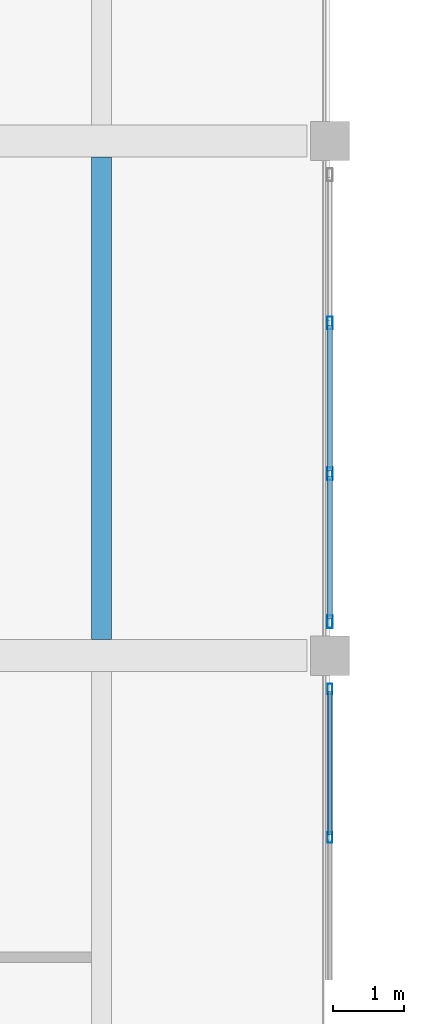
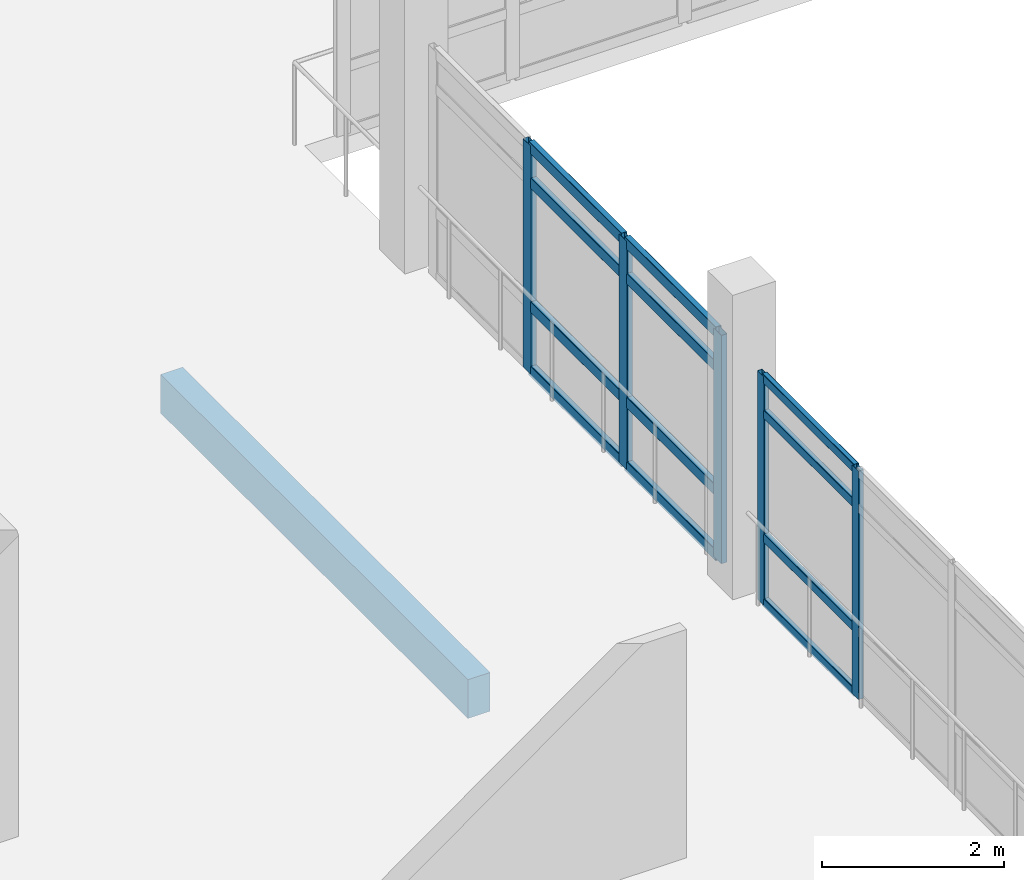
# One storey, part 11 of 72: 17 members, 1 beam, 2 elements without a shape of their own.
"""IFC4 building model written with IfcOpenShell, lengths in metres."""

from ifc_helpers import new_model, si_unit, direction, frame, origin, origin_2d, place, context, subcontext, project, spatial, rectangle, hollow_rectangle, extrude, material, layer, layer_set, material_profile, profile_set, type_object, element, aggregate, save


model = new_model("IFC4")

# Units and contexts
model_context = context("Model", 3, precision=1e-05, world=origin(), true_north=direction((0.0, 1.0)))
body_context = subcontext(model_context, "Body", "Model", "MODEL_VIEW")
ifc_project = project(units=[si_unit("LENGTHUNIT", "METRE"), si_unit("AREAUNIT", "SQUARE_METRE"), si_unit("VOLUMEUNIT", "CUBIC_METRE"), si_unit("PLANEANGLEUNIT", "RADIAN"), si_unit("MASSUNIT", "GRAM", prefix="KILO")], contexts=[model_context])

# Site, building, storey
site_placement = place(None, origin())
site = spatial("IfcSite", under=ifc_project, at=site_placement, CompositionType="ELEMENT")
building_placement = place(site_placement, origin())
building = spatial("IfcBuilding", under=site, at=building_placement, Name="Asteropetra Specialist Clinic", CompositionType="ELEMENT")
storey_placement = place(building_placement, frame((0.0, 0.0, 12.580078125)))
storey = spatial("IfcBuildingStorey", under=building, at=storey_placement, Name="L03", CompositionType="ELEMENT", Elevation=12.580078125)

# Curtain wall, members
ifc_material_1 = material(Name="Aluminium and low-E glass", Category="aluminium")
ifc_layer_1 = layer(ifc_material_1, 0.179931640625)
ifc_layer_set_1 = layer_set([ifc_layer_1], Name="Aluminium and low-E glass")
curtain_wall_type_1 = type_object("IfcCurtainWallType", Name="CW-SYS-10", PredefinedType="USERDEFINED", material=ifc_layer_set_1)
curtain_wall_1_placement = place(storey_placement, origin())
curtain_wall_1 = element("IfcCurtainWall", 1, at=curtain_wall_1_placement, inside=storey, type_object=curtain_wall_type_1, Name="Curtain Wall CW-085", ObjectType="STICK GLAZED COLONNADE", PredefinedType="USERDEFINED")
ifc_material_2 = material(Name="Aluminium 6063-T6", Category="aluminium")
ifc_material_profile_1 = material_profile(ifc_material_2, hollow_rectangle(XDim=0.06494140625, YDim=0.14990234375, WallThickness=0.00390625, InnerFilletRadius=0.00390625, OuterFilletRadius=0.008056640625, at=origin_2d()), Name="MUL 150x65x4.0")
ifc_profile_set_1 = profile_set([ifc_material_profile_1], Name="Aluminium 6063-T6")
member_type_1 = type_object("IfcMemberType", Name="CWM-150x65", PredefinedType="MULLION", material=ifc_profile_set_1)
member_1_placement = place(storey_placement, frame((124.800048828125, 25.9326171875, 0.0), z_axis=(0.0, 0.0, 1.0), x_axis=(1.0, 0.0, 0.0)))
member_1 = element("IfcMember", 2, at=member_1_placement, type_object=member_type_1, Name="CW-085 mullion 1", PredefinedType="MULLION", context=body_context, shape_type="SweptSolid", body=[
    extrude(hollow_rectangle(XDim=0.06494140625, YDim=0.14990234375, WallThickness=0.00390625, InnerFilletRadius=0.00390625, OuterFilletRadius=0.008056640625, at=origin_2d()), origin(), (0.0, 0.0, 1.0), 3.059814453125),
])
member_2_placement = place(storey_placement, frame((124.800048828125, 23.85498046875, 0.0), z_axis=(0.0, 0.0, 1.0), x_axis=(1.0, 0.0, 0.0)))
member_2 = element("IfcMember", 3, at=member_2_placement, type_object=member_type_1, Name="CW-085 mullion 2", PredefinedType="MULLION", context=body_context, shape_type="SweptSolid", body=[
    extrude(hollow_rectangle(XDim=0.06494140625, YDim=0.14990234375, WallThickness=0.00390625, InnerFilletRadius=0.00390625, OuterFilletRadius=0.008056640625, at=origin_2d()), origin(), (0.0, 0.0, 1.0), 3.059814453125),
])

ifc_material_3 = material(Name="Aluminium and low-E glass", Category="aluminium")
ifc_layer_2 = layer(ifc_material_3, 0.14990234375)
ifc_layer_set_2 = layer_set([ifc_layer_2], Name="Aluminium and low-E glass")
curtain_wall_type_2 = type_object("IfcCurtainWallType", Name="CW-SYS-11", PredefinedType="USERDEFINED", material=ifc_layer_set_2)
curtain_wall_2_placement = place(storey_placement, origin())
curtain_wall_2 = element("IfcCurtainWall", 4, at=curtain_wall_2_placement, inside=storey, type_object=curtain_wall_type_2, Name="Curtain Wall CW-087", ObjectType="STICK GLAZED COLONNADE", PredefinedType="USERDEFINED")
ifc_material_4 = material(Name="Aluminium 6063-T6", Category="aluminium")
ifc_material_profile_2 = material_profile(ifc_material_4, hollow_rectangle(XDim=0.074951171875, YDim=0.179931640625, WallThickness=0.00390625, InnerFilletRadius=0.00390625, OuterFilletRadius=0.008056640625, at=origin_2d()), Name="MUL 180x75x4.0")
ifc_profile_set_2 = profile_set([ifc_material_profile_2], Name="Aluminium 6063-T6")
member_type_2 = type_object("IfcMemberType", Name="CWM-180x75", PredefinedType="MULLION", material=ifc_profile_set_2)
member_3_placement = place(storey_placement, frame((124.800048828125, 31.054931640625, 0.0), z_axis=(0.0, 0.0, 1.0), x_axis=(1.0, 0.0, 0.0)))
member_3 = element("IfcMember", 5, at=member_3_placement, type_object=member_type_2, Name="CW-087 mullion 2", PredefinedType="MULLION", context=body_context, shape_type="SweptSolid", body=[
    extrude(hollow_rectangle(XDim=0.074951171875, YDim=0.179931640625, WallThickness=0.00390625, InnerFilletRadius=0.00390625, OuterFilletRadius=0.008056640625, at=origin_2d()), origin(), (0.0, 0.0, 1.0), 3.059814453125),
])
member_4_placement = place(storey_placement, frame((124.800048828125, 28.945068359375, 0.0), z_axis=(0.0, 0.0, 1.0), x_axis=(1.0, 0.0, 0.0)))
member_4 = element("IfcMember", 6, at=member_4_placement, type_object=member_type_2, Name="CW-087 mullion 3", PredefinedType="MULLION", context=body_context, shape_type="SweptSolid", body=[
    extrude(hollow_rectangle(XDim=0.074951171875, YDim=0.179931640625, WallThickness=0.00390625, InnerFilletRadius=0.00390625, OuterFilletRadius=0.008056640625, at=origin_2d()), origin(), (0.0, 0.0, 1.0), 3.059814453125),
])
member_5_placement = place(storey_placement, frame((124.800048828125, 26.87255859375, 0.0), z_axis=(0.0, 0.0, 1.0), x_axis=(1.0, 0.0, 0.0)))
member_5 = element("IfcMember", 7, at=member_5_placement, type_object=member_type_2, Name="CW-087 mullion 4", PredefinedType="MULLION", context=body_context, shape_type="SweptSolid", body=[
    extrude(hollow_rectangle(XDim=0.074951171875, YDim=0.179931640625, WallThickness=0.00390625, InnerFilletRadius=0.00390625, OuterFilletRadius=0.008056640625, at=origin_2d()), origin(), (0.0, 0.0, 1.0), 3.059814453125),
])

# Member
ifc_material_5 = material(Name="Aluminium 6063-T6", Category="aluminium")
ifc_material_profile_3 = material_profile(ifc_material_5, hollow_rectangle(XDim=0.06494140625, YDim=0.1201171875, WallThickness=0.00390625, InnerFilletRadius=0.00390625, OuterFilletRadius=0.008056640625, at=origin_2d()), Name="TRN 120x65x4.0")
ifc_profile_set_3 = profile_set([ifc_material_profile_3], Name="Aluminium 6063-T6")
member_type_3 = type_object("IfcMemberType", Name="CWT-120x65", PredefinedType="USERDEFINED", material=ifc_profile_set_3)
member_6_placement = place(storey_placement, frame((124.800048828125, 25.89990234375, 0.032470703125), z_axis=(0.0, -1.0, 0.0), x_axis=(1.0, 0.0, 0.0)))
member_6 = element("IfcMember", 8, at=member_6_placement, type_object=member_type_3, Name="CW-085 transom 1.1", ObjectType="TRANSOM", PredefinedType="USERDEFINED", context=body_context, shape_type="SweptSolid", body=[
    extrude(hollow_rectangle(XDim=0.06494140625, YDim=0.1201171875, WallThickness=0.00390625, InnerFilletRadius=0.00390625, OuterFilletRadius=0.008056640625, at=origin_2d()), origin(), (0.0, 0.0, 1.0), 2.012451171875),
])

member_7_placement = place(storey_placement, frame((124.800048828125, 25.89990234375, 0.89990234375), z_axis=(0.0, -1.0, 0.0), x_axis=(1.0, 0.0, 0.0)))
member_7 = element("IfcMember", 9, at=member_7_placement, type_object=member_type_3, Name="CW-085 transom 1.2", ObjectType="TRANSOM", PredefinedType="USERDEFINED", context=body_context, shape_type="SweptSolid", body=[
    extrude(hollow_rectangle(XDim=0.06494140625, YDim=0.1201171875, WallThickness=0.00390625, InnerFilletRadius=0.00390625, OuterFilletRadius=0.008056640625, at=origin_2d()), origin(), (0.0, 0.0, 1.0), 2.012451171875),
])

member_8_placement = place(storey_placement, frame((124.800048828125, 25.89990234375, 2.559814453125), z_axis=(0.0, -1.0, 0.0), x_axis=(1.0, 0.0, 0.0)))
member_8 = element("IfcMember", 10, at=member_8_placement, type_object=member_type_3, Name="CW-085 transom 1.3", ObjectType="TRANSOM", PredefinedType="USERDEFINED", context=body_context, shape_type="SweptSolid", body=[
    extrude(hollow_rectangle(XDim=0.06494140625, YDim=0.1201171875, WallThickness=0.00390625, InnerFilletRadius=0.00390625, OuterFilletRadius=0.008056640625, at=origin_2d()), origin(), (0.0, 0.0, 1.0), 2.012451171875),
])

member_9_placement = place(storey_placement, frame((124.800048828125, 25.89990234375, 3.02734375), z_axis=(0.0, -1.0, 0.0), x_axis=(1.0, 0.0, 0.0)))
member_9 = element("IfcMember", 11, at=member_9_placement, type_object=member_type_3, Name="CW-085 transom 1.4", ObjectType="TRANSOM", PredefinedType="USERDEFINED", context=body_context, shape_type="SweptSolid", body=[
    extrude(hollow_rectangle(XDim=0.06494140625, YDim=0.1201171875, WallThickness=0.00390625, InnerFilletRadius=0.00390625, OuterFilletRadius=0.008056640625, at=origin_2d()), origin(), (0.0, 0.0, 1.0), 2.012451171875),
])

aggregate(curtain_wall_1, [member_1, member_2, member_6, member_7, member_8, member_9])

ifc_material_6 = material(Name="Aluminium 6063-T6", Category="aluminium")
ifc_material_profile_4 = material_profile(ifc_material_6, hollow_rectangle(XDim=0.074951171875, YDim=0.14990234375, WallThickness=0.00390625, InnerFilletRadius=0.00390625, OuterFilletRadius=0.008056640625, at=origin_2d()), Name="TRN 150x75x4.0")
ifc_profile_set_4 = profile_set([ifc_material_profile_4], Name="Aluminium 6063-T6")
member_type_4 = type_object("IfcMemberType", Name="CWT-150x75", PredefinedType="USERDEFINED", material=ifc_profile_set_4)
member_10_placement = place(storey_placement, frame((124.800048828125, 31.017578125, 0.037353515625), z_axis=(0.0, -1.0, 0.0), x_axis=(1.0, 0.0, 0.0)))
member_10 = element("IfcMember", 12, at=member_10_placement, type_object=member_type_4, Name="CW-087 transom 2.1", ObjectType="TRANSOM", PredefinedType="USERDEFINED", context=body_context, shape_type="SweptSolid", body=[
    extrude(hollow_rectangle(XDim=0.074951171875, YDim=0.14990234375, WallThickness=0.00390625, InnerFilletRadius=0.00390625, OuterFilletRadius=0.008056640625, at=origin_2d()), origin(), (0.0, 0.0, 1.0), 2.03515625),
])

member_11_placement = place(storey_placement, frame((124.800048828125, 31.017578125, 0.89990234375), z_axis=(0.0, -1.0, 0.0), x_axis=(1.0, 0.0, 0.0)))
member_11 = element("IfcMember", 13, at=member_11_placement, type_object=member_type_4, Name="CW-087 transom 2.2", ObjectType="TRANSOM", PredefinedType="USERDEFINED", context=body_context, shape_type="SweptSolid", body=[
    extrude(hollow_rectangle(XDim=0.074951171875, YDim=0.14990234375, WallThickness=0.00390625, InnerFilletRadius=0.00390625, OuterFilletRadius=0.008056640625, at=origin_2d()), origin(), (0.0, 0.0, 1.0), 2.03515625),
])

member_12_placement = place(storey_placement, frame((124.800048828125, 31.017578125, 2.559814453125), z_axis=(0.0, -1.0, 0.0), x_axis=(1.0, 0.0, 0.0)))
member_12 = element("IfcMember", 14, at=member_12_placement, type_object=member_type_4, Name="CW-087 transom 2.3", ObjectType="TRANSOM", PredefinedType="USERDEFINED", context=body_context, shape_type="SweptSolid", body=[
    extrude(hollow_rectangle(XDim=0.074951171875, YDim=0.14990234375, WallThickness=0.00390625, InnerFilletRadius=0.00390625, OuterFilletRadius=0.008056640625, at=origin_2d()), origin(), (0.0, 0.0, 1.0), 2.03515625),
])

member_13_placement = place(storey_placement, frame((124.800048828125, 31.017578125, 3.0224609375), z_axis=(0.0, -1.0, 0.0), x_axis=(1.0, 0.0, 0.0)))
member_13 = element("IfcMember", 15, at=member_13_placement, type_object=member_type_4, Name="CW-087 transom 2.4", ObjectType="TRANSOM", PredefinedType="USERDEFINED", context=body_context, shape_type="SweptSolid", body=[
    extrude(hollow_rectangle(XDim=0.074951171875, YDim=0.14990234375, WallThickness=0.00390625, InnerFilletRadius=0.00390625, OuterFilletRadius=0.008056640625, at=origin_2d()), origin(), (0.0, 0.0, 1.0), 2.03515625),
])

member_14_placement = place(storey_placement, frame((124.800048828125, 28.907470703125, 0.037353515625), z_axis=(0.0, -1.0, 0.0), x_axis=(1.0, 0.0, 0.0)))
member_14 = element("IfcMember", 16, at=member_14_placement, type_object=member_type_4, Name="CW-087 transom 3.1", ObjectType="TRANSOM", PredefinedType="USERDEFINED", context=body_context, shape_type="SweptSolid", body=[
    extrude(hollow_rectangle(XDim=0.074951171875, YDim=0.14990234375, WallThickness=0.00390625, InnerFilletRadius=0.00390625, OuterFilletRadius=0.008056640625, at=origin_2d()), origin(), (0.0, 0.0, 1.0), 1.99755859375),
])

member_15_placement = place(storey_placement, frame((124.800048828125, 28.907470703125, 0.89990234375), z_axis=(0.0, -1.0, 0.0), x_axis=(1.0, 0.0, 0.0)))
member_15 = element("IfcMember", 17, at=member_15_placement, type_object=member_type_4, Name="CW-087 transom 3.2", ObjectType="TRANSOM", PredefinedType="USERDEFINED", context=body_context, shape_type="SweptSolid", body=[
    extrude(hollow_rectangle(XDim=0.074951171875, YDim=0.14990234375, WallThickness=0.00390625, InnerFilletRadius=0.00390625, OuterFilletRadius=0.008056640625, at=origin_2d()), origin(), (0.0, 0.0, 1.0), 1.99755859375),
])

member_16_placement = place(storey_placement, frame((124.800048828125, 28.907470703125, 2.559814453125), z_axis=(0.0, -1.0, 0.0), x_axis=(1.0, 0.0, 0.0)))
member_16 = element("IfcMember", 18, at=member_16_placement, type_object=member_type_4, Name="CW-087 transom 3.3", ObjectType="TRANSOM", PredefinedType="USERDEFINED", context=body_context, shape_type="SweptSolid", body=[
    extrude(hollow_rectangle(XDim=0.074951171875, YDim=0.14990234375, WallThickness=0.00390625, InnerFilletRadius=0.00390625, OuterFilletRadius=0.008056640625, at=origin_2d()), origin(), (0.0, 0.0, 1.0), 1.99755859375),
])

member_17_placement = place(storey_placement, frame((124.800048828125, 28.907470703125, 3.0224609375), z_axis=(0.0, -1.0, 0.0), x_axis=(1.0, 0.0, 0.0)))
member_17 = element("IfcMember", 19, at=member_17_placement, type_object=member_type_4, Name="CW-087 transom 3.4", ObjectType="TRANSOM", PredefinedType="USERDEFINED", context=body_context, shape_type="SweptSolid", body=[
    extrude(hollow_rectangle(XDim=0.074951171875, YDim=0.14990234375, WallThickness=0.00390625, InnerFilletRadius=0.00390625, OuterFilletRadius=0.008056640625, at=origin_2d()), origin(), (0.0, 0.0, 1.0), 1.99755859375),
])

aggregate(curtain_wall_2, [member_3, member_4, member_5, member_10, member_11, member_12, member_13, member_14, member_15, member_16, member_17])

# Beam
ifc_material_7 = material(Name="Concrete C35/45", Category="concrete")
ifc_material_profile_5 = material_profile(ifc_material_7, rectangle(XDim=0.280029296875, YDim=0.52001953125, at=origin_2d()), Name="RCJ 280x520")
ifc_profile_set_5 = profile_set([ifc_material_profile_5], Name="Concrete C35/45")
beam_type = type_object("IfcBeamType", Name="JST-RC280x520", PredefinedType="JOIST", material=ifc_profile_set_5)
beam_placement = place(storey_placement, frame((121.60009765625, 26.625, -0.56005859375), z_axis=(0.0, 1.0, 0.0), x_axis=(-1.0, 0.0, 0.0)))
element("IfcBeam", 20, at=beam_placement, inside=storey, type_object=beam_type, Name="Joist JJST01-1538", PredefinedType="JOIST", context=body_context, shape_type="SweptSolid", body=[
    extrude(rectangle(XDim=0.280029296875, YDim=0.52001953125, at=origin_2d()), origin(), (0.0, 0.0, 1.0), 6.75),
])

save(model, "model.ifc")
